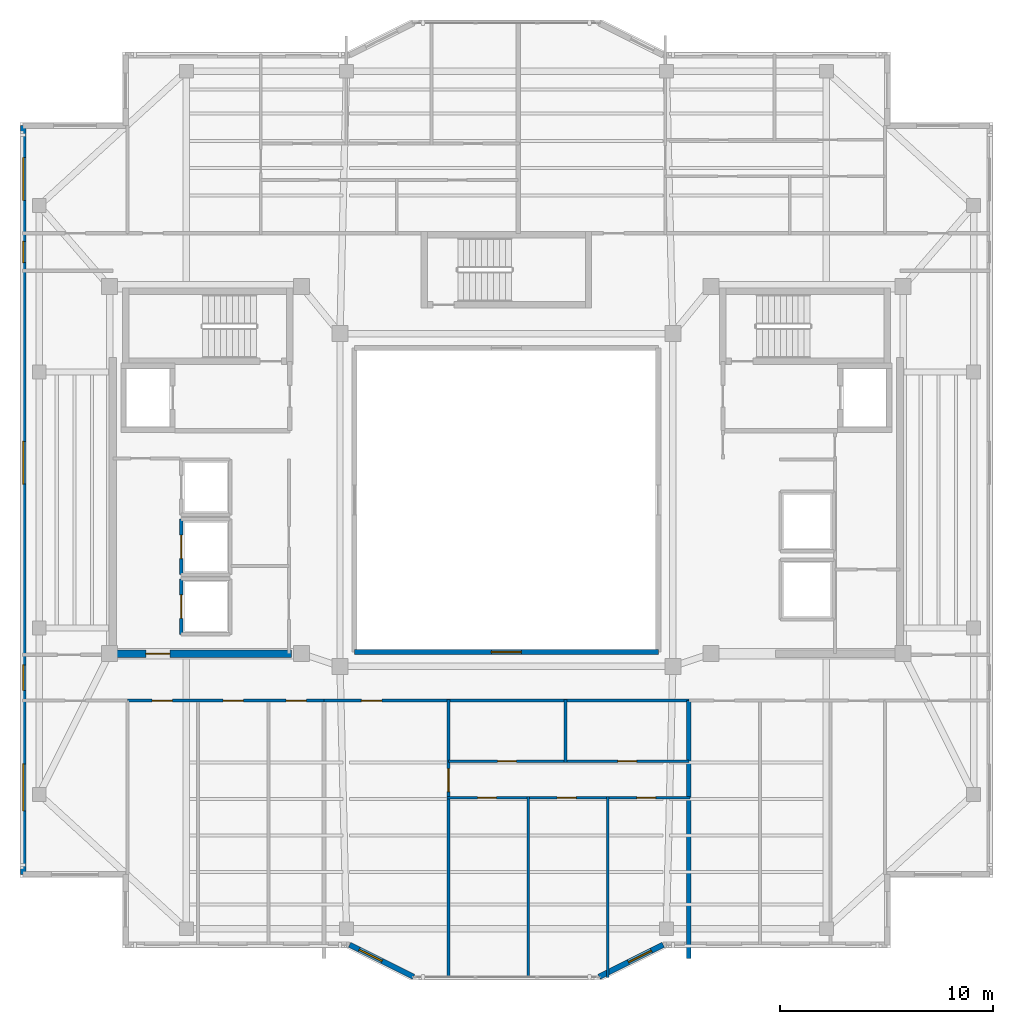
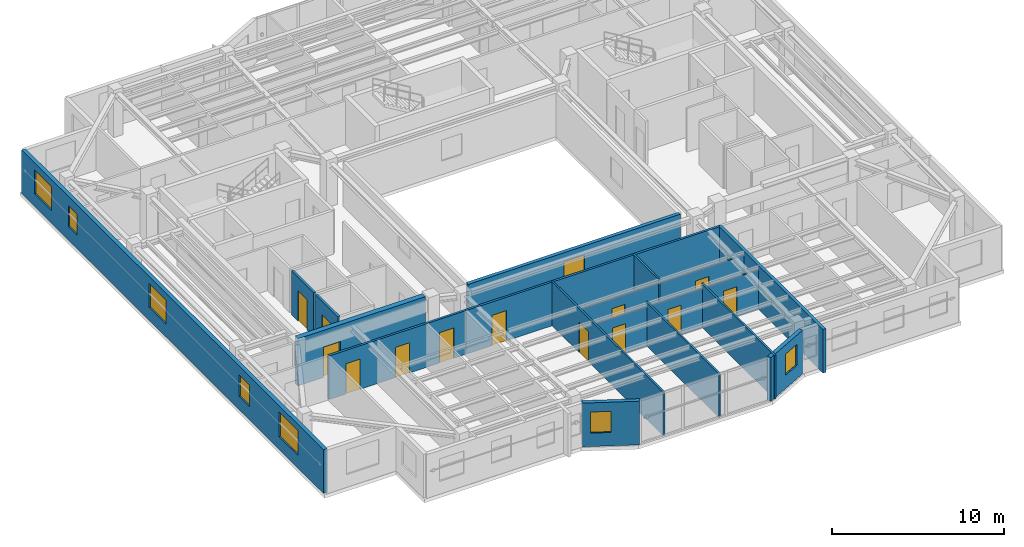
# One storey, part 6 of 13: 17 walls, 13 doors, 8 windows, 21 openings.
"""IFC4 building model written with IfcOpenShell, lengths in metres."""

from ifc_helpers import new_model, si_unit, direction, frame, frame_2d, origin, place, context, subcontext, project, spatial, rectangle, extrude, material, layer, layer_set, type_object, element, fill, save


model = new_model("IFC4")

# Units and contexts
model_context = context("Model", 3, precision=1e-05, world=origin(), true_north=direction((0.0, 1.0)))
body_context = subcontext(model_context, "Body", "Model", "MODEL_VIEW")
ifc_project = project(units=[si_unit("LENGTHUNIT", "METRE"), si_unit("AREAUNIT", "SQUARE_METRE"), si_unit("VOLUMEUNIT", "CUBIC_METRE"), si_unit("PLANEANGLEUNIT", "RADIAN"), si_unit("MASSUNIT", "GRAM", prefix="KILO")], contexts=[model_context])

# Site, building, storey
site_placement = place(None, origin())
site = spatial("IfcSite", under=ifc_project, at=site_placement, CompositionType="ELEMENT")
building_placement = place(site_placement, origin())
building = spatial("IfcBuilding", under=site, at=building_placement, Name="Tarnavaz Court Tower", CompositionType="ELEMENT")
storey_placement = place(building_placement, frame((0.0, 0.0, 251.550048828125)))
storey = spatial("IfcBuildingStorey", under=building, at=storey_placement, Name="L68", CompositionType="ELEMENT", Elevation=251.550048828125)

# Wall, opening, door
ifc_material_1 = material(Name="Concrete C50/60", Category="concrete")
ifc_layer_1 = layer(ifc_material_1, 0.35009765625)
ifc_layer_set_1 = layer_set([ifc_layer_1], Name="Concrete C50/60")
wall_type_1 = type_object("IfcWallType", Name="WL-CORE-350-C50", PredefinedType="SHEAR", material=ifc_layer_set_1)
wall_1_placement = place(storey_placement, frame((-18.625, -7.199951171875, 0.0), z_axis=(0.0, 0.0, 1.0), x_axis=(1.0, 0.0, 0.0)))
wall_1 = element("IfcWall", 1, at=wall_1_placement, inside=storey, type_object=wall_type_1, Name="L68 West Core South Shear Wall 046", PredefinedType="SHEAR", context=body_context, shape_type="SweptSolid", body=[
    extrude(rectangle(XDim=8.550048828125, YDim=0.35009765625, at=frame_2d((4.27490234375, 0.0))), origin(), (0.0, 0.0, 1.0), 3.349853515625),
])
opening_1_placement = place(wall_1_placement, frame((1.72509765625, 0.0, 0.0)))
opening_1 = element("IfcOpeningElement", 2, at=opening_1_placement, cuts=wall_1, Name="Opening D04", PredefinedType="OPENING", context=body_context, shape_type="SweptSolid", body=[
    extrude(rectangle(XDim=1.1201171875, YDim=2.14990234375, at=frame_2d((0.56005859375, 1.074951171875))), frame((0.0, 0.18505859375, 0.0), z_axis=(0.0, -1.0, 0.0), x_axis=(1.0, 0.0, 0.0)), (0.0, 0.0, 1.0), 0.3701171875),
])
ifc_material_2 = material(Name="Fire-Rated Hardwood Timber Core", Category="wood")
door_type_1 = type_object("IfcDoorType", Name="DR-FD60-1100", OperationType="NOTDEFINED", PredefinedType="DOOR", material=ifc_material_2)
door_1_placement = place(opening_1_placement, origin())
door_1 = element("IfcDoor", 3, at=door_1_placement, inside=storey, type_object=door_type_1, Name="L68 West High-Rise Lift Lobby Door", OperationType="SINGLE_SWING_LEFT", OverallHeight=2.14990234375, OverallWidth=1.1201171875, PredefinedType="DOOR", context=body_context, shape_type="SweptSolid", body=[
    extrude(rectangle(XDim=1.1201171875, YDim=2.14990234375, at=frame_2d((0.56005859375, 1.074951171875))), frame((0.0, 0.02490234375, 0.0), z_axis=(0.0, -1.0, 0.0), x_axis=(1.0, 0.0, 0.0)), (0.0, 0.0, 1.0), 0.050048828125),
])
fill(opening_1, door_1)

# Wall, openings, windows
ifc_material_3 = material(Name="Precast Concrete C40/50", Category="concrete")
ifc_layer_2 = layer(ifc_material_3, 0.260009765625)
ifc_layer_set_2 = layer_set([ifc_layer_2], Name="Precast Concrete C40/50")
wall_type_2 = type_object("IfcWallType", Name="WL-EXT-260", PredefinedType="SOLIDWALL", material=ifc_layer_set_2)
wall_2_placement = place(storey_placement, frame((-22.64990234375, -17.550048828125, 0.0), z_axis=(0.0, 0.0, 1.0), x_axis=(0.0, 1.0, 0.0)))
wall_2 = element("IfcWall", 4, at=wall_2_placement, inside=storey, type_object=wall_type_2, Name="L68 Exterior Terracotta Facade Wall 02", PredefinedType="SOLIDWALL", context=body_context, shape_type="SweptSolid", body=[
    extrude(rectangle(XDim=35.10009765625, YDim=0.260009765625, at=frame_2d((17.550048828125, 0.0))), origin(), (0.0, 0.0, 1.0), 3.099853515625),
])
opening_2_placement = place(wall_2_placement, frame((2.97509765625, 0.0, 0.89990234375)))
opening_2 = element("IfcOpeningElement", 5, at=opening_2_placement, cuts=wall_2, Name="Opening W07", PredefinedType="OPENING", context=body_context, shape_type="SweptSolid", body=[
    extrude(rectangle(XDim=2.199951171875, YDim=1.75, at=frame_2d((1.10009765625, 0.875))), frame((0.0, 0.139892578125, 0.0), z_axis=(0.0, -1.0, 0.0), x_axis=(1.0, 0.0, 0.0)), (0.0, 0.0, 1.0), 0.280029296875),
])
opening_3_placement = place(wall_2_placement, frame((8.625, 0.0, 0.949951171875)))
opening_3 = element("IfcOpeningElement", 6, at=opening_3_placement, cuts=wall_2, Name="Opening W05", PredefinedType="OPENING", context=body_context, shape_type="SweptSolid", body=[
    extrude(rectangle(XDim=1.199951171875, YDim=1.5, at=frame_2d((0.60009765625, 0.75))), frame((0.0, 0.139892578125, 0.0), z_axis=(0.0, -1.0, 0.0), x_axis=(1.0, 0.0, 0.0)), (0.0, 0.0, 1.0), 0.280029296875),
])
opening_4_placement = place(wall_2_placement, frame((18.300048828125, 0.0, 0.89990234375)))
opening_4 = element("IfcOpeningElement", 7, at=opening_4_placement, cuts=wall_2, Name="Opening W08", PredefinedType="OPENING", context=body_context, shape_type="SweptSolid", body=[
    extrude(rectangle(XDim=2.0, YDim=1.699951171875, at=frame_2d((1.0, 0.85009765625))), frame((0.0, 0.139892578125, 0.0), z_axis=(0.0, -1.0, 0.0), x_axis=(1.0, 0.0, 0.0)), (0.0, 0.0, 1.0), 0.280029296875),
])
opening_5_placement = place(wall_2_placement, frame((28.675048828125, 0.0, 0.949951171875)))
opening_5 = element("IfcOpeningElement", 8, at=opening_5_placement, cuts=wall_2, Name="Opening W14", PredefinedType="OPENING", context=body_context, shape_type="SweptSolid", body=[
    extrude(rectangle(XDim=1.0, YDim=1.5, at=frame_2d((0.5, 0.75))), frame((0.0, 0.139892578125, 0.0), z_axis=(0.0, -1.0, 0.0), x_axis=(1.0, 0.0, 0.0)), (0.0, 0.0, 1.0), 0.280029296875),
])
opening_6_placement = place(wall_2_placement, frame((31.60009765625, 0.0, 0.89990234375)))
opening_6 = element("IfcOpeningElement", 9, at=opening_6_placement, cuts=wall_2, Name="Opening W08", PredefinedType="OPENING", context=body_context, shape_type="SweptSolid", body=[
    extrude(rectangle(XDim=2.0, YDim=1.699951171875, at=frame_2d((1.0, 0.85009765625))), frame((0.0, 0.139892578125, 0.0), z_axis=(0.0, -1.0, 0.0), x_axis=(1.0, 0.0, 0.0)), (0.0, 0.0, 1.0), 0.280029296875),
])
ifc_material_4 = material(Name="Double-Glazed Solar Low-E Glass", Category="glass")
window_type_1 = type_object("IfcWindowType", Name="WN-APT-1000", PartitioningType="SINGLE_PANEL", PredefinedType="WINDOW", material=ifc_material_4)
window_1_placement = place(opening_5_placement, origin())
window_1 = element("IfcWindow", 10, at=window_1_placement, inside=storey, type_object=window_type_1, Name="L68 North-West Corner Corridor Window", OverallHeight=1.5, OverallWidth=1.0, PartitioningType="SINGLE_PANEL", PredefinedType="WINDOW", context=body_context, shape_type="SweptSolid", body=[
    extrude(rectangle(XDim=1.0, YDim=1.5, at=frame_2d((0.5, 0.75))), frame((0.0, 0.030029296875, 0.0), z_axis=(0.0, -1.0, 0.0), x_axis=(1.0, 0.0, 0.0)), (0.0, 0.0, 1.0), 0.06005859375),
])
fill(opening_5, window_1)
window_type_2 = type_object("IfcWindowType", Name="WN-APT-1200", PartitioningType="SINGLE_PANEL", PredefinedType="WINDOW", material=ifc_material_4)
window_2_placement = place(opening_3_placement, origin())
window_2 = element("IfcWindow", 11, at=window_2_placement, inside=storey, type_object=window_type_2, Name="L68 South-West Corner Corridor Window", OverallHeight=1.5, OverallWidth=1.199951171875, PartitioningType="SINGLE_PANEL", PredefinedType="WINDOW", context=body_context, shape_type="SweptSolid", body=[
    extrude(rectangle(XDim=1.199951171875, YDim=1.5, at=frame_2d((0.60009765625, 0.75))), frame((0.0, 0.030029296875, 0.0), z_axis=(0.0, -1.0, 0.0), x_axis=(1.0, 0.0, 0.0)), (0.0, 0.0, 1.0), 0.06005859375),
])
fill(opening_3, window_2)
window_type_3 = type_object("IfcWindowType", Name="WN-APT-2000", PartitioningType="DOUBLE_PANEL_VERTICAL", PredefinedType="WINDOW", material=ifc_material_4)
window_3_placement = place(opening_4_placement, origin())
window_3 = element("IfcWindow", 12, at=window_3_placement, inside=storey, type_object=window_type_3, Name="L68 West Wing Panoramic Study Gallery Window", OverallHeight=1.699951171875, OverallWidth=2.0, PartitioningType="SINGLE_PANEL", PredefinedType="WINDOW", context=body_context, shape_type="SweptSolid", body=[
    extrude(rectangle(XDim=2.0, YDim=1.699951171875, at=frame_2d((1.0, 0.85009765625))), frame((0.0, 0.030029296875, 0.0), z_axis=(0.0, -1.0, 0.0), x_axis=(1.0, 0.0, 0.0)), (0.0, 0.0, 1.0), 0.06005859375),
])
fill(opening_4, window_3)
window_4_placement = place(opening_6_placement, origin())
window_4 = element("IfcWindow", 13, at=window_4_placement, inside=storey, type_object=window_type_3, Name="L68 North-West Corner Sunroom Study Window", OverallHeight=1.699951171875, OverallWidth=2.0, PartitioningType="SINGLE_PANEL", PredefinedType="WINDOW", context=body_context, shape_type="SweptSolid", body=[
    extrude(rectangle(XDim=2.0, YDim=1.699951171875, at=frame_2d((1.0, 0.85009765625))), frame((0.0, 0.030029296875, 0.0), z_axis=(0.0, -1.0, 0.0), x_axis=(1.0, 0.0, 0.0)), (0.0, 0.0, 1.0), 0.06005859375),
])
fill(opening_6, window_4)
window_type_4 = type_object("IfcWindowType", Name="WN-APT-2200", PartitioningType="TRIPLE_PANEL_VERTICAL", PredefinedType="WINDOW", material=ifc_material_4)
window_5_placement = place(opening_2_placement, origin())
window_5 = element("IfcWindow", 14, at=window_5_placement, inside=storey, type_object=window_type_4, Name="L68 South-West Corner Reading Room Window", OverallHeight=1.75, OverallWidth=2.199951171875, PartitioningType="SINGLE_PANEL", PredefinedType="WINDOW", context=body_context, shape_type="SweptSolid", body=[
    extrude(rectangle(XDim=2.199951171875, YDim=1.75, at=frame_2d((1.10009765625, 0.875))), frame((0.0, 0.030029296875, 0.0), z_axis=(0.0, -1.0, 0.0), x_axis=(1.0, 0.0, 0.0)), (0.0, 0.0, 1.0), 0.06005859375),
])
fill(opening_2, window_5)

# Wall, opening, window
wall_3_placement = place(storey_placement, frame((7.35009765625, -20.85009765625, 0.0), z_axis=(0.0, 0.0, 1.0), x_axis=(-0.894427191, -0.4472135955, 0.0)))
wall_3 = element("IfcWall", 15, at=wall_3_placement, inside=storey, type_object=wall_type_2, Name="L68 Exterior Terracotta Facade Wall 16", PredefinedType="SOLIDWALL", context=body_context, shape_type="SweptSolid", body=[
    extrude(rectangle(XDim=3.35400390625, YDim=0.260009765625, at=frame_2d((1.677001953125, 0.0))), origin(), (0.0, 0.0, 1.0), 3.099853515625),
])
opening_7_placement = place(wall_3_placement, frame((0.62158203125, 0.0, 0.949951171875)))
opening_7 = element("IfcOpeningElement", 16, at=opening_7_placement, cuts=wall_3, Name="Opening W05", PredefinedType="OPENING", context=body_context, shape_type="SweptSolid", body=[
    extrude(rectangle(XDim=1.199951171875, YDim=1.5, at=frame_2d((0.60009765625, 0.75))), frame((0.0, 0.139892578125, 0.0), z_axis=(0.0, -1.0, 0.0), x_axis=(1.0, 0.0, 0.0)), (0.0, 0.0, 1.0), 0.280029296875),
])
window_6_placement = place(opening_7_placement, origin())
window_6 = element("IfcWindow", 17, at=window_6_placement, inside=storey, type_object=window_type_2, Name="L68 Flat 03 Bedroom 3 Window", OverallHeight=1.5, OverallWidth=1.199951171875, PartitioningType="SINGLE_PANEL", PredefinedType="WINDOW", context=body_context, shape_type="SweptSolid", body=[
    extrude(rectangle(XDim=1.199951171875, YDim=1.5, at=frame_2d((0.60009765625, 0.75))), frame((0.0, 0.030029296875, 0.0), z_axis=(0.0, -1.0, 0.0), x_axis=(1.0, 0.0, 0.0)), (0.0, 0.0, 1.0), 0.06005859375),
])
fill(opening_7, window_6)

wall_4_placement = place(storey_placement, frame((-4.35009765625, -22.35009765625, 0.0), z_axis=(0.0, 0.0, 1.0), x_axis=(-0.894427191, 0.4472135955, 0.0)))
wall_4 = element("IfcWall", 18, at=wall_4_placement, inside=storey, type_object=wall_type_2, Name="L68 Exterior Terracotta Facade Wall 18", PredefinedType="SOLIDWALL", context=body_context, shape_type="SweptSolid", body=[
    extrude(rectangle(XDim=3.35400390625, YDim=0.260009765625, at=frame_2d((1.677001953125, 0.0))), origin(), (0.0, 0.0, 1.0), 3.099853515625),
])
opening_8_placement = place(wall_4_placement, frame((1.65283203125, 0.0, 0.949951171875)))
opening_8 = element("IfcOpeningElement", 19, at=opening_8_placement, cuts=wall_4, Name="Opening W05", PredefinedType="OPENING", context=body_context, shape_type="SweptSolid", body=[
    extrude(rectangle(XDim=1.199951171875, YDim=1.5, at=frame_2d((0.60009765625, 0.75))), frame((0.0, 0.139892578125, 0.0), z_axis=(0.0, -1.0, 0.0), x_axis=(1.0, 0.0, 0.0)), (0.0, 0.0, 1.0), 0.280029296875),
])
window_7_placement = place(opening_8_placement, origin())
window_7 = element("IfcWindow", 20, at=window_7_placement, inside=storey, type_object=window_type_2, Name="L68 Flat 03 Living and Dining Room Window", OverallHeight=1.5, OverallWidth=1.199951171875, PartitioningType="SINGLE_PANEL", PredefinedType="WINDOW", context=body_context, shape_type="SweptSolid", body=[
    extrude(rectangle(XDim=1.199951171875, YDim=1.5, at=frame_2d((0.60009765625, 0.75))), frame((0.0, 0.030029296875, 0.0), z_axis=(0.0, -1.0, 0.0), x_axis=(1.0, 0.0, 0.0)), (0.0, 0.0, 1.0), 0.06005859375),
])
fill(opening_8, window_7)

# Wall, openings, doors
ifc_material_5 = material(Name="Gypsum Fire-Board on Acoustic Metal Stud", Category="masonry")
ifc_layer_3 = layer(ifc_material_5, 0.14990234375)
ifc_layer_set_3 = layer_set([ifc_layer_3], Name="Gypsum Fire-Board on Acoustic Metal Stud")
wall_type_3 = type_object("IfcWallType", Name="WL-FIRE-150", PredefinedType="PARTITIONING", material=ifc_layer_set_3)
wall_5_placement = place(storey_placement, frame((-17.75, -9.39990234375, 0.0), z_axis=(0.0, 0.0, 1.0), x_axis=(1.0, 0.0, 0.0)))
wall_5 = element("IfcWall", 21, at=wall_5_placement, inside=storey, type_object=wall_type_3, Name="L68 SW Lobby Wall 058", PredefinedType="PARTITIONING", context=body_context, shape_type="SweptSolid", body=[
    extrude(rectangle(XDim=9.199951171875, YDim=0.14990234375, at=frame_2d((4.60009765625, 0.0))), origin(), (0.0, 0.0, 1.0), 3.099853515625),
])
opening_9_placement = place(wall_5_placement, frame((1.14208984375, 0.0, 0.0)))
opening_9 = element("IfcOpeningElement", 22, at=opening_9_placement, cuts=wall_5, Name="Opening D13", PredefinedType="OPENING", context=body_context, shape_type="SweptSolid", body=[
    extrude(rectangle(XDim=0.949951171875, YDim=2.14990234375, at=frame_2d((0.47509765625, 1.074951171875))), frame((0.0, 0.0849609375, 0.0), z_axis=(0.0, -1.0, 0.0), x_axis=(1.0, 0.0, 0.0)), (0.0, 0.0, 1.0), 0.169921875),
])
opening_10_placement = place(wall_5_placement, frame((4.466064453125, 0.0, 0.0)))
opening_10 = element("IfcOpeningElement", 23, at=opening_10_placement, cuts=wall_5, Name="Opening D13", PredefinedType="OPENING", context=body_context, shape_type="SweptSolid", body=[
    extrude(rectangle(XDim=0.949951171875, YDim=2.14990234375, at=frame_2d((0.47509765625, 1.074951171875))), frame((0.0, 0.0849609375, 0.0), z_axis=(0.0, -1.0, 0.0), x_axis=(1.0, 0.0, 0.0)), (0.0, 0.0, 1.0), 0.169921875),
])
opening_11_placement = place(wall_5_placement, frame((7.424072265625, 0.0, 0.0)))
opening_11 = element("IfcOpeningElement", 24, at=opening_11_placement, cuts=wall_5, Name="Opening D13", PredefinedType="OPENING", context=body_context, shape_type="SweptSolid", body=[
    extrude(rectangle(XDim=0.949951171875, YDim=2.14990234375, at=frame_2d((0.47509765625, 1.074951171875))), frame((0.0, 0.0849609375, 0.0), z_axis=(0.0, -1.0, 0.0), x_axis=(1.0, 0.0, 0.0)), (0.0, 0.0, 1.0), 0.169921875),
])
ifc_material_6 = material(Name="Engineered Oak Timber", Category="wood")
door_type_2 = type_object("IfcDoorType", Name="DR-INT-950", OperationType="NOTDEFINED", PredefinedType="DOOR", material=ifc_material_6)
door_2_placement = place(opening_9_placement, origin())
door_2 = element("IfcDoor", 25, at=door_2_placement, inside=storey, type_object=door_type_2, Name="L68 Resident Co-Working Study Room Door", OperationType="SINGLE_SWING_LEFT", OverallHeight=2.14990234375, OverallWidth=0.949951171875, PredefinedType="DOOR", context=body_context, shape_type="SweptSolid", body=[
    extrude(rectangle(XDim=0.949951171875, YDim=2.14990234375, at=frame_2d((0.47509765625, 1.074951171875))), frame((0.0, 0.02490234375, 0.0), z_axis=(0.0, -1.0, 0.0), x_axis=(1.0, 0.0, 0.0)), (0.0, 0.0, 1.0), 0.050048828125),
])
fill(opening_9, door_2)
door_3_placement = place(opening_10_placement, origin())
door_3 = element("IfcDoor", 26, at=door_3_placement, inside=storey, type_object=door_type_2, Name="L68 Quiet Reading Library Room Door", OperationType="SINGLE_SWING_RIGHT", OverallHeight=2.14990234375, OverallWidth=0.949951171875, PredefinedType="DOOR", context=body_context, shape_type="SweptSolid", body=[
    extrude(rectangle(XDim=0.949951171875, YDim=2.14990234375, at=frame_2d((0.47509765625, 1.074951171875))), frame((0.0, 0.02490234375, 0.0), z_axis=(0.0, -1.0, 0.0), x_axis=(1.0, 0.0, 0.0)), (0.0, 0.0, 1.0), 0.050048828125),
])
fill(opening_10, door_3)
door_4_placement = place(opening_11_placement, origin())
door_4 = element("IfcDoor", 27, at=door_4_placement, inside=storey, type_object=door_type_2, Name="L68 Resident Focus Seminar Room Door", OperationType="SINGLE_SWING_LEFT", OverallHeight=2.14990234375, OverallWidth=0.949951171875, PredefinedType="DOOR", context=body_context, shape_type="SweptSolid", body=[
    extrude(rectangle(XDim=0.949951171875, YDim=2.14990234375, at=frame_2d((0.47509765625, 1.074951171875))), frame((0.0, 0.02490234375, 0.0), z_axis=(0.0, -1.0, 0.0), x_axis=(1.0, 0.0, 0.0)), (0.0, 0.0, 1.0), 0.050048828125),
])
fill(opening_11, door_4)

# Wall, opening, door
wall_6_placement = place(storey_placement, frame((-8.550048828125, -9.39990234375, 0.0), z_axis=(0.0, 0.0, 1.0), x_axis=(1.0, 0.0, 0.0)))
wall_6 = element("IfcWall", 28, at=wall_6_placement, inside=storey, type_object=wall_type_3, Name="L68 Interior Partition 080", PredefinedType="PARTITIONING", context=body_context, shape_type="SweptSolid", body=[
    extrude(rectangle(XDim=17.10009765625, YDim=0.14990234375, at=frame_2d((8.550048828125, 0.0))), origin(), (0.0, 0.0, 1.0), 3.099853515625),
])
opening_12_placement = place(wall_6_placement, frame((1.75, 0.0, 0.0)))
opening_12 = element("IfcOpeningElement", 29, at=opening_12_placement, cuts=wall_6, Name="Opening D06", PredefinedType="OPENING", context=body_context, shape_type="SweptSolid", body=[
    extrude(rectangle(XDim=0.9599609375, YDim=2.14990234375, at=frame_2d((0.47998046875, 1.074951171875))), frame((0.0, 0.0849609375, 0.0), z_axis=(0.0, -1.0, 0.0), x_axis=(1.0, 0.0, 0.0)), (0.0, 0.0, 1.0), 0.169921875),
])
door_type_3 = type_object("IfcDoorType", Name="DR-FD60-950", OperationType="NOTDEFINED", PredefinedType="DOOR", material=ifc_material_2)
door_5_placement = place(opening_12_placement, origin())
door_5 = element("IfcDoor", 30, at=door_5_placement, inside=storey, type_object=door_type_3, Name="L68 Flat 03 Entrance Door", OperationType="SINGLE_SWING_LEFT", OverallHeight=2.14990234375, OverallWidth=0.9599609375, PredefinedType="DOOR", context=body_context, shape_type="SweptSolid", body=[
    extrude(rectangle(XDim=0.9599609375, YDim=2.14990234375, at=frame_2d((0.47998046875, 1.074951171875))), frame((0.0, 0.02490234375, 0.0), z_axis=(0.0, -1.0, 0.0), x_axis=(1.0, 0.0, 0.0)), (0.0, 0.0, 1.0), 0.050048828125),
])
fill(opening_12, door_5)

# Wall
ifc_material_7 = material(Name="Autoclaved Aerated Concrete Blockwork", Category="masonry")
ifc_layer_4 = layer(ifc_material_7, 0.199951171875)
ifc_layer_set_4 = layer_set([ifc_layer_4], Name="Autoclaved Aerated Concrete Blockwork")
wall_type_4 = type_object("IfcWallType", Name="WL-FIRE-200", PredefinedType="SOLIDWALL", material=ifc_layer_set_4)
wall_7_placement = place(storey_placement, frame((8.550048828125, -21.50390625, 0.0), z_axis=(0.0, 0.0, 1.0), x_axis=(0.0, 1.0, 0.0)))
element("IfcWall", 31, at=wall_7_placement, inside=storey, type_object=wall_type_4, Name="L68 Party Wall 079", PredefinedType="SOLIDWALL", context=body_context, shape_type="SweptSolid", body=[
    extrude(rectangle(XDim=12.10400390625, YDim=0.199951171875, at=frame_2d((6.052001953125, 0.0))), origin(), (0.0, 0.0, 1.0), 3.099853515625),
])

# Wall, opening, door
ifc_material_8 = material(Name="Moisture-Resistant Gypsum Board Partition", Category="masonry")
ifc_layer_5 = layer(ifc_material_8, 0.1201171875)
ifc_layer_set_5 = layer_set([ifc_layer_5], Name="Moisture-Resistant Gypsum Board Partition")
wall_type_5 = type_object("IfcWallType", Name="WL-PART-120", PredefinedType="PARTITIONING", material=ifc_layer_set_5)
wall_8_placement = place(storey_placement, frame((-2.714111328125, -22.3798828125, 0.0), z_axis=(0.0, 0.0, 1.0), x_axis=(0.0, 1.0, 0.0)))
wall_8 = element("IfcWall", 32, at=wall_8_placement, inside=storey, type_object=wall_type_5, Name="L68 Interior Partition 081", PredefinedType="PARTITIONING", context=body_context, shape_type="SweptSolid", body=[
    extrude(rectangle(XDim=13.039794921875, YDim=0.1201171875, at=frame_2d((6.52001953125, 0.0))), origin(), (0.0, 0.0, 1.0), 3.099853515625),
])
opening_13_placement = place(wall_8_placement, frame((8.705078125, 0.0, 0.0)))
opening_13 = element("IfcOpeningElement", 33, at=opening_13_placement, cuts=wall_8, Name="Opening D12", PredefinedType="OPENING", context=body_context, shape_type="SweptSolid", body=[
    extrude(rectangle(XDim=1.080078125, YDim=2.14990234375, at=frame_2d((0.5400390625, 1.074951171875))), frame((0.0, 0.070068359375, 0.0), z_axis=(0.0, -1.0, 0.0), x_axis=(1.0, 0.0, 0.0)), (0.0, 0.0, 1.0), 0.14013671875),
])
door_type_4 = type_object("IfcDoorType", Name="DR-INT-1100", OperationType="NOTDEFINED", PredefinedType="DOOR", material=ifc_material_6)
door_6_placement = place(opening_13_placement, origin())
door_6 = element("IfcDoor", 34, at=door_6_placement, inside=storey, type_object=door_type_4, Name="L68 Flat 03 Foyer Door", OperationType="SINGLE_SWING_RIGHT", OverallHeight=2.14990234375, OverallWidth=1.080078125, PredefinedType="DOOR", context=body_context, shape_type="SweptSolid", body=[
    extrude(rectangle(XDim=1.080078125, YDim=2.14990234375, at=frame_2d((0.5400390625, 1.074951171875))), frame((0.0, 0.02490234375, 0.0), z_axis=(0.0, -1.0, 0.0), x_axis=(1.0, 0.0, 0.0)), (0.0, 0.0, 1.0), 0.050048828125),
])
fill(opening_13, door_6)

wall_9_placement = place(storey_placement, frame((-2.714111328125, -12.25, 0.0), z_axis=(0.0, 0.0, 1.0), x_axis=(1.0, 0.0, 0.0)))
wall_9 = element("IfcWall", 35, at=wall_9_placement, inside=storey, type_object=wall_type_5, Name="L68 Interior Partition 082", PredefinedType="PARTITIONING", context=body_context, shape_type="SweptSolid", body=[
    extrude(rectangle(XDim=5.485107421875, YDim=0.1201171875, at=frame_2d((2.74267578125, 0.0))), origin(), (0.0, 0.0, 1.0), 2.784912109375),
])
opening_14_placement = place(wall_9_placement, frame((2.302001953125, 0.0, 0.0)))
opening_14 = element("IfcOpeningElement", 36, at=opening_14_placement, cuts=wall_9, Name="Opening D14", PredefinedType="OPENING", context=body_context, shape_type="SweptSolid", body=[
    extrude(rectangle(XDim=0.8798828125, YDim=2.10009765625, at=frame_2d((0.43994140625, 1.050048828125))), frame((0.0, 0.070068359375, 0.0), z_axis=(0.0, -1.0, 0.0), x_axis=(1.0, 0.0, 0.0)), (0.0, 0.0, 1.0), 0.14013671875),
])
door_type_5 = type_object("IfcDoorType", Name="DR-INT-900", OperationType="NOTDEFINED", PredefinedType="DOOR", material=ifc_material_6)
door_7_placement = place(opening_14_placement, origin())
door_7 = element("IfcDoor", 37, at=door_7_placement, inside=storey, type_object=door_type_5, Name="L68 Flat 03 Kitchen Door", OperationType="SINGLE_SWING_LEFT", OverallHeight=2.10009765625, OverallWidth=0.8798828125, PredefinedType="DOOR", context=body_context, shape_type="SweptSolid", body=[
    extrude(rectangle(XDim=0.8798828125, YDim=2.10009765625, at=frame_2d((0.43994140625, 1.050048828125))), frame((0.0, 0.02490234375, 0.0), z_axis=(0.0, -1.0, 0.0), x_axis=(1.0, 0.0, 0.0)), (0.0, 0.0, 1.0), 0.050048828125),
])
fill(opening_14, door_7)

wall_10_placement = place(storey_placement, frame((2.77099609375, -12.25, 0.0), z_axis=(0.0, 0.0, 1.0), x_axis=(1.0, 0.0, 0.0)))
wall_10 = element("IfcWall", 38, at=wall_10_placement, inside=storey, type_object=wall_type_5, Name="L68 Interior Partition 083", PredefinedType="PARTITIONING", context=body_context, shape_type="SweptSolid", body=[
    extrude(rectangle(XDim=5.779052734375, YDim=0.1201171875, at=frame_2d((2.8896484375, 0.0))), origin(), (0.0, 0.0, 1.0), 2.784912109375),
])
opening_15_placement = place(wall_10_placement, frame((2.449951171875, 0.0, 0.0)))
opening_15 = element("IfcOpeningElement", 39, at=opening_15_placement, cuts=wall_10, Name="Opening D14", PredefinedType="OPENING", context=body_context, shape_type="SweptSolid", body=[
    extrude(rectangle(XDim=0.8798828125, YDim=2.10009765625, at=frame_2d((0.43994140625, 1.050048828125))), frame((0.0, 0.070068359375, 0.0), z_axis=(0.0, -1.0, 0.0), x_axis=(1.0, 0.0, 0.0)), (0.0, 0.0, 1.0), 0.14013671875),
])
door_8_placement = place(opening_15_placement, origin())
door_8 = element("IfcDoor", 40, at=door_8_placement, inside=storey, type_object=door_type_5, Name="L68 Flat 03 Bathroom Door", OperationType="SINGLE_SWING_RIGHT", OverallHeight=2.10009765625, OverallWidth=0.8798828125, PredefinedType="DOOR", context=body_context, shape_type="SweptSolid", body=[
    extrude(rectangle(XDim=0.8798828125, YDim=2.10009765625, at=frame_2d((0.43994140625, 1.050048828125))), frame((0.0, 0.02490234375, 0.0), z_axis=(0.0, -1.0, 0.0), x_axis=(1.0, 0.0, 0.0)), (0.0, 0.0, 1.0), 0.050048828125),
])
fill(opening_15, door_8)

# Wall, openings, doors
wall_11_placement = place(storey_placement, frame((-2.77392578125, -13.9599609375, 0.0), z_axis=(0.0, 0.0, 1.0), x_axis=(1.0, 0.0, 0.0)))
wall_11 = element("IfcWall", 41, at=wall_11_placement, inside=storey, type_object=wall_type_5, Name="L68 Interior Partition 084", PredefinedType="PARTITIONING", context=body_context, shape_type="SweptSolid", body=[
    extrude(rectangle(XDim=11.384033203125, YDim=0.1201171875, at=frame_2d((5.69189453125, 0.0))), origin(), (0.0, 0.0, 1.0), 2.784912109375),
])
opening_16_placement = place(wall_11_placement, frame((1.426025390625, 0.0, 0.0)))
opening_16 = element("IfcOpeningElement", 42, at=opening_16_placement, cuts=wall_11, Name="Opening D14", PredefinedType="OPENING", context=body_context, shape_type="SweptSolid", body=[
    extrude(rectangle(XDim=0.8798828125, YDim=2.10009765625, at=frame_2d((0.43994140625, 1.050048828125))), frame((0.0, 0.070068359375, 0.0), z_axis=(0.0, -1.0, 0.0), x_axis=(1.0, 0.0, 0.0)), (0.0, 0.0, 1.0), 0.14013671875),
])
opening_17_placement = place(wall_11_placement, frame((5.156982421875, 0.0, 0.0)))
opening_17 = element("IfcOpeningElement", 43, at=opening_17_placement, cuts=wall_11, Name="Opening D14", PredefinedType="OPENING", context=body_context, shape_type="SweptSolid", body=[
    extrude(rectangle(XDim=0.8798828125, YDim=2.10009765625, at=frame_2d((0.43994140625, 1.050048828125))), frame((0.0, 0.070068359375, 0.0), z_axis=(0.0, -1.0, 0.0), x_axis=(1.0, 0.0, 0.0)), (0.0, 0.0, 1.0), 0.14013671875),
])
opening_18_placement = place(wall_11_placement, frame((8.887939453125, 0.0, 0.0)))
opening_18 = element("IfcOpeningElement", 44, at=opening_18_placement, cuts=wall_11, Name="Opening D14", PredefinedType="OPENING", context=body_context, shape_type="SweptSolid", body=[
    extrude(rectangle(XDim=0.8798828125, YDim=2.10009765625, at=frame_2d((0.43994140625, 1.050048828125))), frame((0.0, 0.070068359375, 0.0), z_axis=(0.0, -1.0, 0.0), x_axis=(1.0, 0.0, 0.0)), (0.0, 0.0, 1.0), 0.14013671875),
])
door_9_placement = place(opening_16_placement, origin())
door_9 = element("IfcDoor", 45, at=door_9_placement, inside=storey, type_object=door_type_5, Name="L68 Flat 03 Bedroom 1 Door", OperationType="SINGLE_SWING_LEFT", OverallHeight=2.10009765625, OverallWidth=0.8798828125, PredefinedType="DOOR", context=body_context, shape_type="SweptSolid", body=[
    extrude(rectangle(XDim=0.8798828125, YDim=2.10009765625, at=frame_2d((0.43994140625, 1.050048828125))), frame((0.0, 0.02490234375, 0.0), z_axis=(0.0, -1.0, 0.0), x_axis=(1.0, 0.0, 0.0)), (0.0, 0.0, 1.0), 0.050048828125),
])
fill(opening_16, door_9)
door_10_placement = place(opening_17_placement, origin())
door_10 = element("IfcDoor", 46, at=door_10_placement, inside=storey, type_object=door_type_5, Name="L68 Flat 03 Bedroom 2 Door", OperationType="SINGLE_SWING_RIGHT", OverallHeight=2.10009765625, OverallWidth=0.8798828125, PredefinedType="DOOR", context=body_context, shape_type="SweptSolid", body=[
    extrude(rectangle(XDim=0.8798828125, YDim=2.10009765625, at=frame_2d((0.43994140625, 1.050048828125))), frame((0.0, 0.02490234375, 0.0), z_axis=(0.0, -1.0, 0.0), x_axis=(1.0, 0.0, 0.0)), (0.0, 0.0, 1.0), 0.050048828125),
])
fill(opening_17, door_10)
door_11_placement = place(opening_18_placement, origin())
door_11 = element("IfcDoor", 47, at=door_11_placement, inside=storey, type_object=door_type_5, Name="L68 Flat 03 Bedroom 3 Door", OperationType="SINGLE_SWING_LEFT", OverallHeight=2.10009765625, OverallWidth=0.8798828125, PredefinedType="DOOR", context=body_context, shape_type="SweptSolid", body=[
    extrude(rectangle(XDim=0.8798828125, YDim=2.10009765625, at=frame_2d((0.43994140625, 1.050048828125))), frame((0.0, 0.02490234375, 0.0), z_axis=(0.0, -1.0, 0.0), x_axis=(1.0, 0.0, 0.0)), (0.0, 0.0, 1.0), 0.050048828125),
])
fill(opening_18, door_11)

# Walls
wall_12_placement = place(storey_placement, frame((2.77099609375, -12.31005859375, 0.0), z_axis=(0.0, 0.0, 1.0), x_axis=(0.0, 1.0, 0.0)))
element("IfcWall", 48, at=wall_12_placement, inside=storey, type_object=wall_type_5, Name="L68 Interior Partition 085", PredefinedType="PARTITIONING", context=body_context, shape_type="SweptSolid", body=[
    extrude(rectangle(XDim=2.969970703125, YDim=0.1201171875, at=frame_2d((1.48486328125, 0.0))), origin(), (0.0, 0.0, 1.0), 3.099853515625),
])
for number, where, z_axis, x_axis, name in (
    (49, (1.01708984375, -22.3798828125, 0.0), (0.0, 0.0, 1.0), (0.0, 1.0, 0.0), "L68 Interior Partition 086"),
    (50, (4.7490234375, -22.3798828125, 0.0), (0.0, 0.0, 1.0), (0.0, 1.0, 0.0), "L68 Interior Partition 087"),
):
    element("IfcWall", number, at=place(storey_placement, frame(where, z_axis=z_axis, x_axis=x_axis)), inside=storey, type_object=wall_type_5, Name=name, PredefinedType="PARTITIONING", context=body_context, shape_type="SweptSolid", body=[
        extrude(rectangle(XDim=8.47998046875, YDim=0.1201171875, at=frame_2d((4.239990234375, 0.0))), origin(), (0.0, 0.0, 1.0), 3.099853515625),
    ])

# Wall, opening, door
ifc_layer_6 = layer(ifc_material_7, 0.159912109375)
ifc_layer_set_6 = layer_set([ifc_layer_6], Name="Autoclaved Aerated Concrete Blockwork")
wall_type_6 = type_object("IfcWallType", Name="WL-SHAFT-150", PredefinedType="SOLIDWALL", material=ifc_layer_set_6)
wall_13_placement = place(storey_placement, frame((-15.25, -6.300048828125, 0.0), z_axis=(0.0, 0.0, 1.0), x_axis=(0.0, 1.0, 0.0)))
wall_13 = element("IfcWall", 51, at=wall_13_placement, inside=storey, type_object=wall_type_6, Name="L68 Lift PL-H1 Shaft Wall 021", PredefinedType="SOLIDWALL", context=body_context, shape_type="SweptSolid", body=[
    extrude(rectangle(XDim=2.60009765625, YDim=0.159912109375, at=frame_2d((1.300048828125, 0.0))), origin(), (0.0, 0.0, 1.0), 3.099853515625),
])
opening_19_placement = place(wall_13_placement, frame((0.75, 0.0, 0.0)))
opening_19 = element("IfcOpeningElement", 52, at=opening_19_placement, cuts=wall_13, Name="Opening LD1", PredefinedType="OPENING", context=body_context, shape_type="SweptSolid", body=[
    extrude(rectangle(XDim=1.10009765625, YDim=2.14990234375, at=frame_2d((0.550048828125, 1.074951171875))), frame((0.0, 0.08984375, 0.0), z_axis=(0.0, -1.0, 0.0), x_axis=(1.0, 0.0, 0.0)), (0.0, 0.0, 1.0), 0.179931640625),
])
ifc_material_9 = material(Name="Stainless Steel", Category="steel")
door_type_6 = type_object("IfcDoorType", Name="DR-LD-1100", OperationType="NOTDEFINED", PredefinedType="DOOR", material=ifc_material_9)
door_12_placement = place(opening_19_placement, origin())
door_12 = element("IfcDoor", 53, at=door_12_placement, inside=storey, type_object=door_type_6, Name="L68 Lift Landing Door LD-PL-H1", OperationType="SLIDING_TO_LEFT", OverallHeight=2.14990234375, OverallWidth=1.10009765625, PredefinedType="DOOR", context=body_context, shape_type="SweptSolid", body=[
    extrude(rectangle(XDim=1.10009765625, YDim=2.14990234375, at=frame_2d((0.550048828125, 1.074951171875))), frame((0.0, 0.02490234375, 0.0), z_axis=(0.0, -1.0, 0.0), x_axis=(1.0, 0.0, 0.0)), (0.0, 0.0, 1.0), 0.050048828125),
])
fill(opening_19, door_12)

wall_14_placement = place(storey_placement, frame((-15.25, -3.5, 0.0), z_axis=(0.0, 0.0, 1.0), x_axis=(0.0, 1.0, 0.0)))
wall_14 = element("IfcWall", 54, at=wall_14_placement, inside=storey, type_object=wall_type_6, Name="L68 Lift PL-H2 Shaft Wall 025", PredefinedType="SOLIDWALL", context=body_context, shape_type="SweptSolid", body=[
    extrude(rectangle(XDim=2.60009765625, YDim=0.159912109375, at=frame_2d((1.300048828125, 0.0))), origin(), (0.0, 0.0, 1.0), 3.099853515625),
])
opening_20_placement = place(wall_14_placement, frame((0.75, 0.0, 0.0)))
opening_20 = element("IfcOpeningElement", 55, at=opening_20_placement, cuts=wall_14, Name="Opening LD1", PredefinedType="OPENING", context=body_context, shape_type="SweptSolid", body=[
    extrude(rectangle(XDim=1.10009765625, YDim=2.14990234375, at=frame_2d((0.550048828125, 1.074951171875))), frame((0.0, 0.08984375, 0.0), z_axis=(0.0, -1.0, 0.0), x_axis=(1.0, 0.0, 0.0)), (0.0, 0.0, 1.0), 0.179931640625),
])
door_13_placement = place(opening_20_placement, origin())
door_13 = element("IfcDoor", 56, at=door_13_placement, inside=storey, type_object=door_type_6, Name="L68 Lift Landing Door LD-PL-H2", OperationType="SLIDING_TO_LEFT", OverallHeight=2.14990234375, OverallWidth=1.10009765625, PredefinedType="DOOR", context=body_context, shape_type="SweptSolid", body=[
    extrude(rectangle(XDim=1.10009765625, YDim=2.14990234375, at=frame_2d((0.550048828125, 1.074951171875))), frame((0.0, 0.02490234375, 0.0), z_axis=(0.0, -1.0, 0.0), x_axis=(1.0, 0.0, 0.0)), (0.0, 0.0, 1.0), 0.050048828125),
])
fill(opening_20, door_13)

# Wall, opening, window
ifc_layer_7 = layer(ifc_material_3, 0.239990234375)
ifc_layer_set_7 = layer_set([ifc_layer_7], Name="Precast Concrete C40/50")
wall_type_7 = type_object("IfcWallType", Name="WL-WELL-240", PredefinedType="SOLIDWALL", material=ifc_layer_set_7)
wall_15_placement = place(storey_placement, frame((-7.1201171875, -7.1201171875, 0.0), z_axis=(0.0, 0.0, 1.0), x_axis=(1.0, 0.0, 0.0)))
wall_15 = element("IfcWall", 57, at=wall_15_placement, inside=storey, type_object=wall_type_7, Name="L68 Badgir Light-Well Exterior Wall S", PredefinedType="SOLIDWALL", context=body_context, shape_type="SweptSolid", body=[
    extrude(rectangle(XDim=14.240234375, YDim=0.239990234375, at=frame_2d((7.1201171875, 0.0))), origin(), (0.0, 0.0, 1.0), 3.099853515625),
])
opening_21_placement = place(wall_15_placement, frame((6.419921875, 0.0, 0.949951171875)))
opening_21 = element("IfcOpeningElement", 58, at=opening_21_placement, cuts=wall_15, Name="Opening W13", PredefinedType="OPENING", context=body_context, shape_type="SweptSolid", body=[
    extrude(rectangle(XDim=1.39990234375, YDim=1.5, at=frame_2d((0.699951171875, 0.75))), frame((0.0, 0.1298828125, 0.0), z_axis=(0.0, -1.0, 0.0), x_axis=(1.0, 0.0, 0.0)), (0.0, 0.0, 1.0), 0.260009765625),
])
window_type_5 = type_object("IfcWindowType", Name="WN-WEL-1400", PartitioningType="SINGLE_PANEL", PredefinedType="WINDOW", material=ifc_material_4)
window_8_placement = place(opening_21_placement, origin())
window_8 = element("IfcWindow", 59, at=window_8_placement, inside=storey, type_object=window_type_5, Name="L68 Courtyard Gallery Window S", OverallHeight=1.5, OverallWidth=1.39990234375, PartitioningType="SINGLE_PANEL", PredefinedType="WINDOW", context=body_context, shape_type="SweptSolid", body=[
    extrude(rectangle(XDim=1.39990234375, YDim=1.5, at=frame_2d((0.699951171875, 0.75))), frame((0.0, 0.030029296875, 0.0), z_axis=(0.0, -1.0, 0.0), x_axis=(1.0, 0.0, 0.0)), (0.0, 0.0, 1.0), 0.06005859375),
])
fill(opening_21, window_8)

save(model, "model.ifc")
